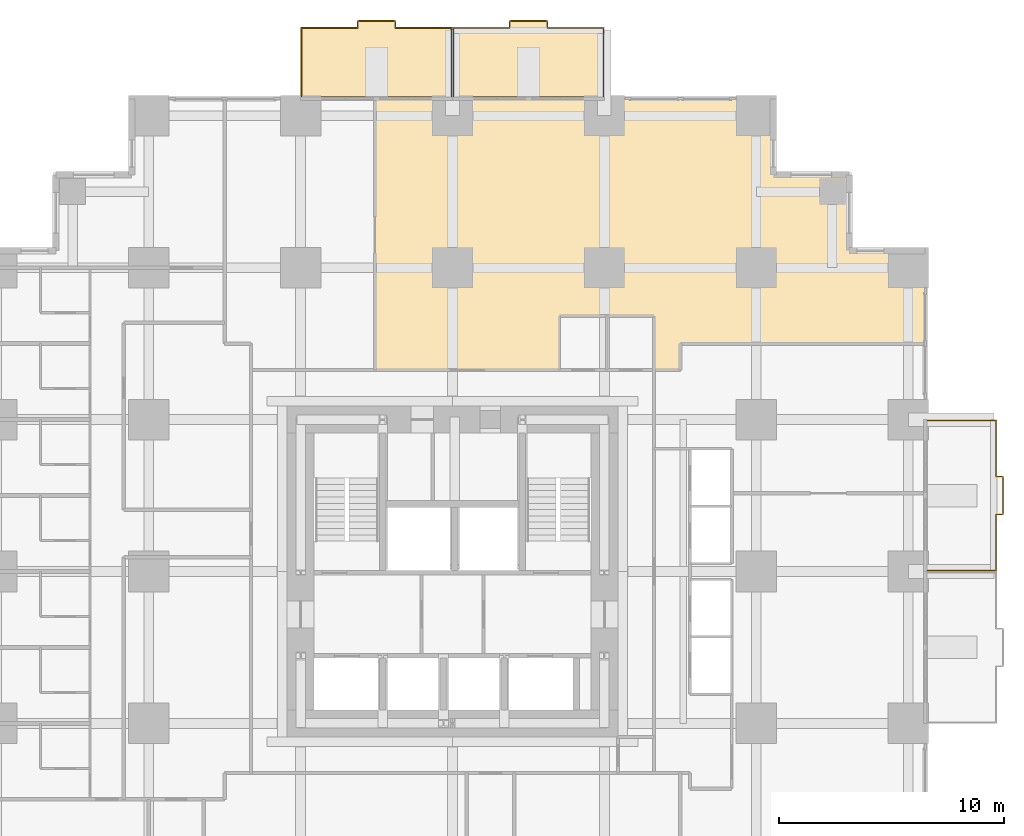
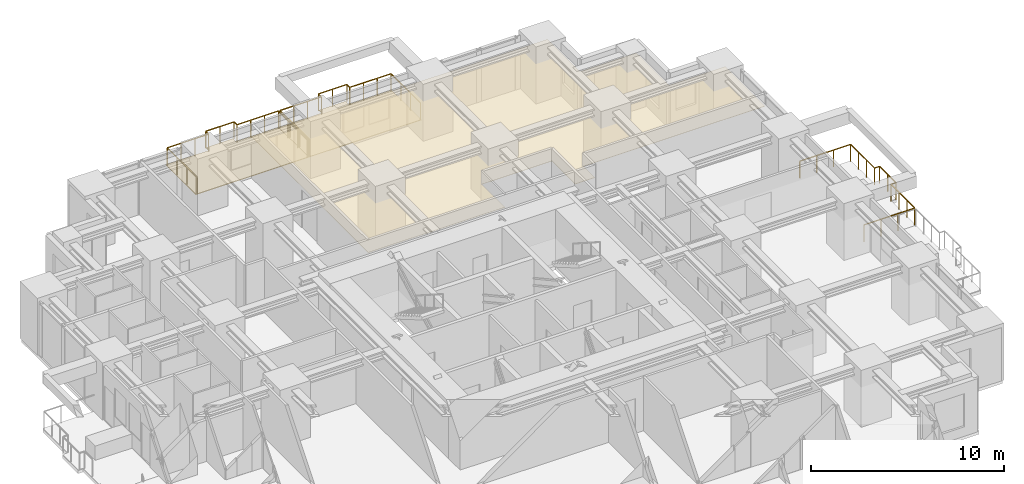
# One storey, part 13 of 13: 3 coverings, 3 railings.
"""IFC4 building model written with IfcOpenShell, lengths in metres."""

from ifc_helpers import new_model, si_unit, direction, frame, origin, origin_2d, place, context, subcontext, project, spatial, polyline, rectangle, outline, extrude, material, layer, layer_set, type_object, element, save


model = new_model("IFC4")

# Units and contexts
model_context = context("Model", 3, precision=1e-05, world=origin(), true_north=direction((0.0, 1.0)))
body_context = subcontext(model_context, "Body", "Model", "MODEL_VIEW")
ifc_project = project(units=[si_unit("LENGTHUNIT", "METRE"), si_unit("AREAUNIT", "SQUARE_METRE"), si_unit("VOLUMEUNIT", "CUBIC_METRE"), si_unit("PLANEANGLEUNIT", "RADIAN"), si_unit("MASSUNIT", "GRAM", prefix="KILO")], contexts=[model_context])

# Site, building, storey
site_placement = place(None, origin())
site = spatial("IfcSite", under=ifc_project, at=site_placement, CompositionType="ELEMENT")
building_placement = place(site_placement, origin())
building = spatial("IfcBuilding", under=site, at=building_placement, Name="Nyansa Garden Tower", CompositionType="ELEMENT")
storey_placement = place(building_placement, frame((0.0, 0.0, 46.800048828125)))
storey = spatial("IfcBuildingStorey", under=building, at=storey_placement, Name="L12", CompositionType="ELEMENT", Elevation=46.800048828125)

# Coverings
ifc_material_1 = material(Name="Perforated timber acoustic ceiling", Category="wood")
ifc_layer_1 = layer(ifc_material_1, 0.02001953125)
ifc_layer_set_1 = layer_set([ifc_layer_1], Name="Acoustic ceiling CL20")
covering_type_1 = type_object("IfcCoveringType", Name="Acoustic ceiling CL20", PredefinedType="CEILING", material=ifc_layer_set_1)
covering_1_placement = place(storey_placement, frame((0.0, 0.0, 2.5048828125)))
element("IfcCovering", 1, at=covering_1_placement, inside=storey, type_object=covering_type_1, Name="Ceiling L12-042", PredefinedType="CEILING", context=body_context, shape_type="SweptSolid", body=[
    extrude(outline(polyline([(37.875, 37.875), (37.875, 34.5), (41.25, 34.5), (41.25, 30.375), (30.375, 30.375), (30.375, 29.199951171875), (29.199951171875, 29.199951171875), (29.199951171875, 31.60009765625), (25.0, 31.60009765625), (25.0, 29.199951171875), (16.80908203125, 29.199951171875), (16.80908203125, 41.25), (34.5, 41.25), (34.5, 37.875), (37.875, 37.875)])), origin(), (0.0, 0.0, 1.0), 0.02001953125),
])
ifc_material_2 = material(Name="Hardwood decking on pedestals", Category="wood")
ifc_layer_2 = layer(ifc_material_2, 0.0400390625)
ifc_layer_set_2 = layer_set([ifc_layer_2], Name="Balcony decking DK40")
covering_type_2 = type_object("IfcCoveringType", Name="Balcony decking DK40", PredefinedType="FLOORING", material=ifc_layer_set_2)
covering_2_placement = place(storey_placement, frame((0.0, 0.0, -0.0400390625)))
element("IfcCovering", 2, at=covering_2_placement, inside=storey, type_object=covering_type_2, Name="Balcony decking L12", PredefinedType="FLOORING", context=body_context, shape_type="SweptSolid", body=[
    extrude(outline(polyline([(13.5, 41.35009765625), (20.25, 41.35009765625), (20.25, 44.449951171875), (17.675048828125, 44.449951171875), (17.675048828125, 44.75), (16.074951171875, 44.75), (16.074951171875, 44.449951171875), (13.5, 44.449951171875), (13.5, 41.35009765625)])), origin(), (0.0, 0.0, 1.0), 0.0400390625),
])
covering_3_placement = place(storey_placement, frame((0.0, 0.0, -0.0400390625)))
element("IfcCovering", 3, at=covering_3_placement, inside=storey, type_object=covering_type_2, Name="Balcony decking L12", PredefinedType="FLOORING", context=body_context, shape_type="SweptSolid", body=[
    extrude(outline(polyline([(20.25, 41.35009765625), (27.0, 41.35009765625), (27.0, 44.449951171875), (24.425048828125, 44.449951171875), (24.425048828125, 44.75), (22.824951171875, 44.75), (22.824951171875, 44.449951171875), (20.25, 44.449951171875), (20.25, 41.35009765625)])), origin(), (0.0, 0.0, 1.0), 0.0400390625),
])

# Railings
ifc_material_3 = material(Name="Black powder-coated steel balusters, laminated glass infill", Category="steel")
railing_type = type_object("IfcRailingType", Name="Balcony guard G1", PredefinedType="GUARDRAIL", material=ifc_material_3)
railing_1_placement = place(storey_placement, frame((41.35009765625, 20.300048828125, 0.0)))
element("IfcRailing", 4, at=railing_1_placement, inside=storey, type_object=railing_type, Name="Balcony guard L12", PredefinedType="GUARDRAIL", context=body_context, shape_type="SweptSolid", body=[
    extrude(rectangle(XDim=0.048095703125, YDim=0.048095703125, at=origin_2d()), frame((0.0, 0.0, 1.076171875), z_axis=(1.0, 0.0, 0.0), x_axis=(0.0, 1.0, 0.0)), (0.0, 0.0, 1.0), 3.0498046875),
    extrude(rectangle(XDim=0.048095703125, YDim=0.048095703125, at=origin_2d()), frame((3.0498046875, 0.0, 1.076171875), z_axis=(0.0, 1.0, 0.0), x_axis=(-1.0, 0.0, 0.0)), (0.0, 0.0, 1.0), 2.474853515625),
    extrude(rectangle(XDim=0.048095703125, YDim=0.048095703125, at=origin_2d()), frame((3.0498046875, 2.474853515625, 1.076171875), z_axis=(1.0, 0.0, 0.0), x_axis=(0.0, 1.0, 0.0)), (0.0, 0.0, 1.0), 0.300048828125),
    extrude(rectangle(XDim=0.048095703125, YDim=0.048095703125, at=origin_2d()), frame((3.349853515625, 2.474853515625, 1.076171875), z_axis=(0.0, 1.0, 0.0), x_axis=(-1.0, 0.0, 0.0)), (0.0, 0.0, 1.0), 1.7001953125),
    extrude(rectangle(XDim=0.048095703125, YDim=0.048095703125, at=origin_2d()), frame((3.349853515625, 4.175048828125, 1.076171875), z_axis=(-1.0, 0.0, 0.0), x_axis=(0.0, -1.0, 0.0)), (0.0, 0.0, 1.0), 0.300048828125),
    extrude(rectangle(XDim=0.048095703125, YDim=0.048095703125, at=origin_2d()), frame((3.0498046875, 4.175048828125, 1.076171875), z_axis=(0.0, 1.0, 0.0), x_axis=(-1.0, 0.0, 0.0)), (0.0, 0.0, 1.0), 2.474853515625),
    extrude(rectangle(XDim=0.048095703125, YDim=0.048095703125, at=origin_2d()), frame((3.0498046875, 6.64990234375, 1.076171875), z_axis=(-1.0, 0.0, 0.0), x_axis=(0.0, -1.0, 0.0)), (0.0, 0.0, 1.0), 3.0498046875),
    extrude(rectangle(XDim=0.0419921875, YDim=0.0419921875, at=origin_2d()), origin(), (0.0, 0.0, 1.0), 1.052001953125),
    extrude(rectangle(XDim=0.0419921875, YDim=0.0419921875, at=origin_2d()), frame((1.0166015625, 0.0, 0.0)), (0.0, 0.0, 1.0), 1.052001953125),
    extrude(rectangle(XDim=0.0419921875, YDim=0.0419921875, at=origin_2d()), frame((2.033203125, 0.0, 0.0)), (0.0, 0.0, 1.0), 1.052001953125),
    extrude(rectangle(XDim=0.0419921875, YDim=0.0419921875, at=origin_2d()), frame((3.0498046875, 0.0, 0.0)), (0.0, 0.0, 1.0), 1.052001953125),
    extrude(rectangle(XDim=0.0419921875, YDim=0.0419921875, at=origin_2d()), frame((3.0498046875, 0.824951171875, 0.0)), (0.0, 0.0, 1.0), 1.052001953125),
    extrude(rectangle(XDim=0.0419921875, YDim=0.0419921875, at=origin_2d()), frame((3.0498046875, 1.64990234375, 0.0)), (0.0, 0.0, 1.0), 1.052001953125),
    extrude(rectangle(XDim=0.0419921875, YDim=0.0419921875, at=origin_2d()), frame((3.0498046875, 2.474853515625, 0.0)), (0.0, 0.0, 1.0), 1.052001953125),
    extrude(rectangle(XDim=0.0419921875, YDim=0.0419921875, at=origin_2d()), frame((3.349853515625, 2.474853515625, 0.0)), (0.0, 0.0, 1.0), 1.052001953125),
    extrude(rectangle(XDim=0.0419921875, YDim=0.0419921875, at=origin_2d()), frame((3.349853515625, 3.324951171875, 0.0)), (0.0, 0.0, 1.0), 1.052001953125),
    extrude(rectangle(XDim=0.0419921875, YDim=0.0419921875, at=origin_2d()), frame((3.349853515625, 4.175048828125, 0.0)), (0.0, 0.0, 1.0), 1.052001953125),
    extrude(rectangle(XDim=0.0419921875, YDim=0.0419921875, at=origin_2d()), frame((3.0498046875, 4.175048828125, 0.0)), (0.0, 0.0, 1.0), 1.052001953125),
    extrude(rectangle(XDim=0.0419921875, YDim=0.0419921875, at=origin_2d()), frame((3.0498046875, 5.0, 0.0)), (0.0, 0.0, 1.0), 1.052001953125),
    extrude(rectangle(XDim=0.0419921875, YDim=0.0419921875, at=origin_2d()), frame((3.0498046875, 5.824951171875, 0.0)), (0.0, 0.0, 1.0), 1.052001953125),
    extrude(rectangle(XDim=0.0419921875, YDim=0.0419921875, at=origin_2d()), frame((3.0498046875, 6.64990234375, 0.0)), (0.0, 0.0, 1.0), 1.052001953125),
    extrude(rectangle(XDim=0.0419921875, YDim=0.0419921875, at=origin_2d()), frame((2.033203125, 6.64990234375, 0.0)), (0.0, 0.0, 1.0), 1.052001953125),
    extrude(rectangle(XDim=0.0419921875, YDim=0.0419921875, at=origin_2d()), frame((1.0166015625, 6.64990234375, 0.0)), (0.0, 0.0, 1.0), 1.052001953125),
    extrude(rectangle(XDim=0.0419921875, YDim=0.0419921875, at=origin_2d()), frame((0.0, 6.64990234375, 0.0)), (0.0, 0.0, 1.0), 1.052001953125),
])
railing_2_placement = place(storey_placement, frame((13.550048828125, 41.35009765625, 0.0)))
element("IfcRailing", 5, at=railing_2_placement, inside=storey, type_object=railing_type, Name="Balcony guard L12", PredefinedType="GUARDRAIL", context=body_context, shape_type="SweptSolid", body=[
    extrude(rectangle(XDim=0.048095703125, YDim=0.048095703125, at=origin_2d()), frame((0.0, 0.0, 1.076171875), z_axis=(0.0, 1.0, 0.0), x_axis=(-1.0, 0.0, 0.0)), (0.0, 0.0, 1.0), 3.0498046875),
    extrude(rectangle(XDim=0.048095703125, YDim=0.048095703125, at=origin_2d()), frame((0.0, 3.0498046875, 1.076171875), z_axis=(1.0, 0.0, 0.0), x_axis=(0.0, 1.0, 0.0)), (0.0, 0.0, 1.0), 2.474853515625),
    extrude(rectangle(XDim=0.048095703125, YDim=0.048095703125, at=origin_2d()), frame((2.474853515625, 3.0498046875, 1.076171875), z_axis=(0.0, 1.0, 0.0), x_axis=(-1.0, 0.0, 0.0)), (0.0, 0.0, 1.0), 0.300048828125),
    extrude(rectangle(XDim=0.048095703125, YDim=0.048095703125, at=origin_2d()), frame((2.474853515625, 3.349853515625, 1.076171875), z_axis=(1.0, 0.0, 0.0), x_axis=(0.0, 1.0, 0.0)), (0.0, 0.0, 1.0), 1.7001953125),
    extrude(rectangle(XDim=0.048095703125, YDim=0.048095703125, at=origin_2d()), frame((4.175048828125, 3.349853515625, 1.076171875), z_axis=(0.0, -1.0, 0.0), x_axis=(1.0, 0.0, 0.0)), (0.0, 0.0, 1.0), 0.300048828125),
    extrude(rectangle(XDim=0.048095703125, YDim=0.048095703125, at=origin_2d()), frame((4.175048828125, 3.0498046875, 1.076171875), z_axis=(1.0, 0.0, 0.0), x_axis=(0.0, 1.0, 0.0)), (0.0, 0.0, 1.0), 2.474853515625),
    extrude(rectangle(XDim=0.048095703125, YDim=0.048095703125, at=origin_2d()), frame((6.64990234375, 3.0498046875, 1.076171875), z_axis=(0.0, -1.0, 0.0), x_axis=(1.0, 0.0, 0.0)), (0.0, 0.0, 1.0), 3.0498046875),
    extrude(rectangle(XDim=0.0419921875, YDim=0.0419921875, at=origin_2d()), origin(), (0.0, 0.0, 1.0), 1.052001953125),
    extrude(rectangle(XDim=0.0419921875, YDim=0.0419921875, at=origin_2d()), frame((0.0, 1.0166015625, 0.0)), (0.0, 0.0, 1.0), 1.052001953125),
    extrude(rectangle(XDim=0.0419921875, YDim=0.0419921875, at=origin_2d()), frame((0.0, 2.033203125, 0.0)), (0.0, 0.0, 1.0), 1.052001953125),
    extrude(rectangle(XDim=0.0419921875, YDim=0.0419921875, at=origin_2d()), frame((0.0, 3.0498046875, 0.0)), (0.0, 0.0, 1.0), 1.052001953125),
    extrude(rectangle(XDim=0.0419921875, YDim=0.0419921875, at=origin_2d()), frame((0.824951171875, 3.0498046875, 0.0)), (0.0, 0.0, 1.0), 1.052001953125),
    extrude(rectangle(XDim=0.0419921875, YDim=0.0419921875, at=origin_2d()), frame((1.64990234375, 3.0498046875, 0.0)), (0.0, 0.0, 1.0), 1.052001953125),
    extrude(rectangle(XDim=0.0419921875, YDim=0.0419921875, at=origin_2d()), frame((2.474853515625, 3.0498046875, 0.0)), (0.0, 0.0, 1.0), 1.052001953125),
    extrude(rectangle(XDim=0.0419921875, YDim=0.0419921875, at=origin_2d()), frame((2.474853515625, 3.349853515625, 0.0)), (0.0, 0.0, 1.0), 1.052001953125),
    extrude(rectangle(XDim=0.0419921875, YDim=0.0419921875, at=origin_2d()), frame((3.324951171875, 3.349853515625, 0.0)), (0.0, 0.0, 1.0), 1.052001953125),
    extrude(rectangle(XDim=0.0419921875, YDim=0.0419921875, at=origin_2d()), frame((4.175048828125, 3.349853515625, 0.0)), (0.0, 0.0, 1.0), 1.052001953125),
    extrude(rectangle(XDim=0.0419921875, YDim=0.0419921875, at=origin_2d()), frame((4.175048828125, 3.0498046875, 0.0)), (0.0, 0.0, 1.0), 1.052001953125),
    extrude(rectangle(XDim=0.0419921875, YDim=0.0419921875, at=origin_2d()), frame((5.0, 3.0498046875, 0.0)), (0.0, 0.0, 1.0), 1.052001953125),
    extrude(rectangle(XDim=0.0419921875, YDim=0.0419921875, at=origin_2d()), frame((5.824951171875, 3.0498046875, 0.0)), (0.0, 0.0, 1.0), 1.052001953125),
    extrude(rectangle(XDim=0.0419921875, YDim=0.0419921875, at=origin_2d()), frame((6.64990234375, 3.0498046875, 0.0)), (0.0, 0.0, 1.0), 1.052001953125),
    extrude(rectangle(XDim=0.0419921875, YDim=0.0419921875, at=origin_2d()), frame((6.64990234375, 2.033203125, 0.0)), (0.0, 0.0, 1.0), 1.052001953125),
    extrude(rectangle(XDim=0.0419921875, YDim=0.0419921875, at=origin_2d()), frame((6.64990234375, 1.0166015625, 0.0)), (0.0, 0.0, 1.0), 1.052001953125),
    extrude(rectangle(XDim=0.0419921875, YDim=0.0419921875, at=origin_2d()), frame((6.64990234375, 0.0, 0.0)), (0.0, 0.0, 1.0), 1.052001953125),
])
railing_3_placement = place(storey_placement, frame((20.300048828125, 41.35009765625, 0.0)))
element("IfcRailing", 6, at=railing_3_placement, inside=storey, type_object=railing_type, Name="Balcony guard L12", PredefinedType="GUARDRAIL", context=body_context, shape_type="SweptSolid", body=[
    extrude(rectangle(XDim=0.048095703125, YDim=0.048095703125, at=origin_2d()), frame((0.0, 0.0, 1.076171875), z_axis=(0.0, 1.0, 0.0), x_axis=(-1.0, 0.0, 0.0)), (0.0, 0.0, 1.0), 3.0498046875),
    extrude(rectangle(XDim=0.048095703125, YDim=0.048095703125, at=origin_2d()), frame((0.0, 3.0498046875, 1.076171875), z_axis=(1.0, 0.0, 0.0), x_axis=(0.0, 1.0, 0.0)), (0.0, 0.0, 1.0), 2.474853515625),
    extrude(rectangle(XDim=0.048095703125, YDim=0.048095703125, at=origin_2d()), frame((2.474853515625, 3.0498046875, 1.076171875), z_axis=(0.0, 1.0, 0.0), x_axis=(-1.0, 0.0, 0.0)), (0.0, 0.0, 1.0), 0.300048828125),
    extrude(rectangle(XDim=0.048095703125, YDim=0.048095703125, at=origin_2d()), frame((2.474853515625, 3.349853515625, 1.076171875), z_axis=(1.0, 0.0, 0.0), x_axis=(0.0, 1.0, 0.0)), (0.0, 0.0, 1.0), 1.7001953125),
    extrude(rectangle(XDim=0.048095703125, YDim=0.048095703125, at=origin_2d()), frame((4.175048828125, 3.349853515625, 1.076171875), z_axis=(0.0, -1.0, 0.0), x_axis=(1.0, 0.0, 0.0)), (0.0, 0.0, 1.0), 0.300048828125),
    extrude(rectangle(XDim=0.048095703125, YDim=0.048095703125, at=origin_2d()), frame((4.175048828125, 3.0498046875, 1.076171875), z_axis=(1.0, 0.0, 0.0), x_axis=(0.0, 1.0, 0.0)), (0.0, 0.0, 1.0), 2.474853515625),
    extrude(rectangle(XDim=0.048095703125, YDim=0.048095703125, at=origin_2d()), frame((6.64990234375, 3.0498046875, 1.076171875), z_axis=(0.0, -1.0, 0.0), x_axis=(1.0, 0.0, 0.0)), (0.0, 0.0, 1.0), 3.0498046875),
    extrude(rectangle(XDim=0.0419921875, YDim=0.0419921875, at=origin_2d()), origin(), (0.0, 0.0, 1.0), 1.052001953125),
    extrude(rectangle(XDim=0.0419921875, YDim=0.0419921875, at=origin_2d()), frame((0.0, 1.0166015625, 0.0)), (0.0, 0.0, 1.0), 1.052001953125),
    extrude(rectangle(XDim=0.0419921875, YDim=0.0419921875, at=origin_2d()), frame((0.0, 2.033203125, 0.0)), (0.0, 0.0, 1.0), 1.052001953125),
    extrude(rectangle(XDim=0.0419921875, YDim=0.0419921875, at=origin_2d()), frame((0.0, 3.0498046875, 0.0)), (0.0, 0.0, 1.0), 1.052001953125),
    extrude(rectangle(XDim=0.0419921875, YDim=0.0419921875, at=origin_2d()), frame((0.824951171875, 3.0498046875, 0.0)), (0.0, 0.0, 1.0), 1.052001953125),
    extrude(rectangle(XDim=0.0419921875, YDim=0.0419921875, at=origin_2d()), frame((1.64990234375, 3.0498046875, 0.0)), (0.0, 0.0, 1.0), 1.052001953125),
    extrude(rectangle(XDim=0.0419921875, YDim=0.0419921875, at=origin_2d()), frame((2.474853515625, 3.0498046875, 0.0)), (0.0, 0.0, 1.0), 1.052001953125),
    extrude(rectangle(XDim=0.0419921875, YDim=0.0419921875, at=origin_2d()), frame((2.474853515625, 3.349853515625, 0.0)), (0.0, 0.0, 1.0), 1.052001953125),
    extrude(rectangle(XDim=0.0419921875, YDim=0.0419921875, at=origin_2d()), frame((3.324951171875, 3.349853515625, 0.0)), (0.0, 0.0, 1.0), 1.052001953125),
    extrude(rectangle(XDim=0.0419921875, YDim=0.0419921875, at=origin_2d()), frame((4.175048828125, 3.349853515625, 0.0)), (0.0, 0.0, 1.0), 1.052001953125),
    extrude(rectangle(XDim=0.0419921875, YDim=0.0419921875, at=origin_2d()), frame((4.175048828125, 3.0498046875, 0.0)), (0.0, 0.0, 1.0), 1.052001953125),
    extrude(rectangle(XDim=0.0419921875, YDim=0.0419921875, at=origin_2d()), frame((5.0, 3.0498046875, 0.0)), (0.0, 0.0, 1.0), 1.052001953125),
    extrude(rectangle(XDim=0.0419921875, YDim=0.0419921875, at=origin_2d()), frame((5.824951171875, 3.0498046875, 0.0)), (0.0, 0.0, 1.0), 1.052001953125),
    extrude(rectangle(XDim=0.0419921875, YDim=0.0419921875, at=origin_2d()), frame((6.64990234375, 3.0498046875, 0.0)), (0.0, 0.0, 1.0), 1.052001953125),
    extrude(rectangle(XDim=0.0419921875, YDim=0.0419921875, at=origin_2d()), frame((6.64990234375, 2.033203125, 0.0)), (0.0, 0.0, 1.0), 1.052001953125),
    extrude(rectangle(XDim=0.0419921875, YDim=0.0419921875, at=origin_2d()), frame((6.64990234375, 1.0166015625, 0.0)), (0.0, 0.0, 1.0), 1.052001953125),
    extrude(rectangle(XDim=0.0419921875, YDim=0.0419921875, at=origin_2d()), frame((6.64990234375, 0.0, 0.0)), (0.0, 0.0, 1.0), 1.052001953125),
])

save(model, "model.ifc")
